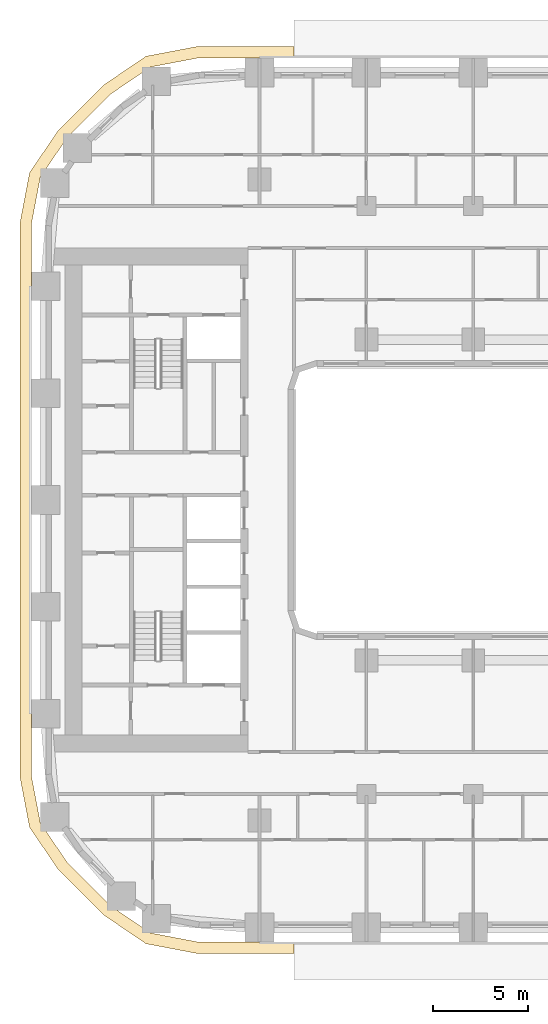
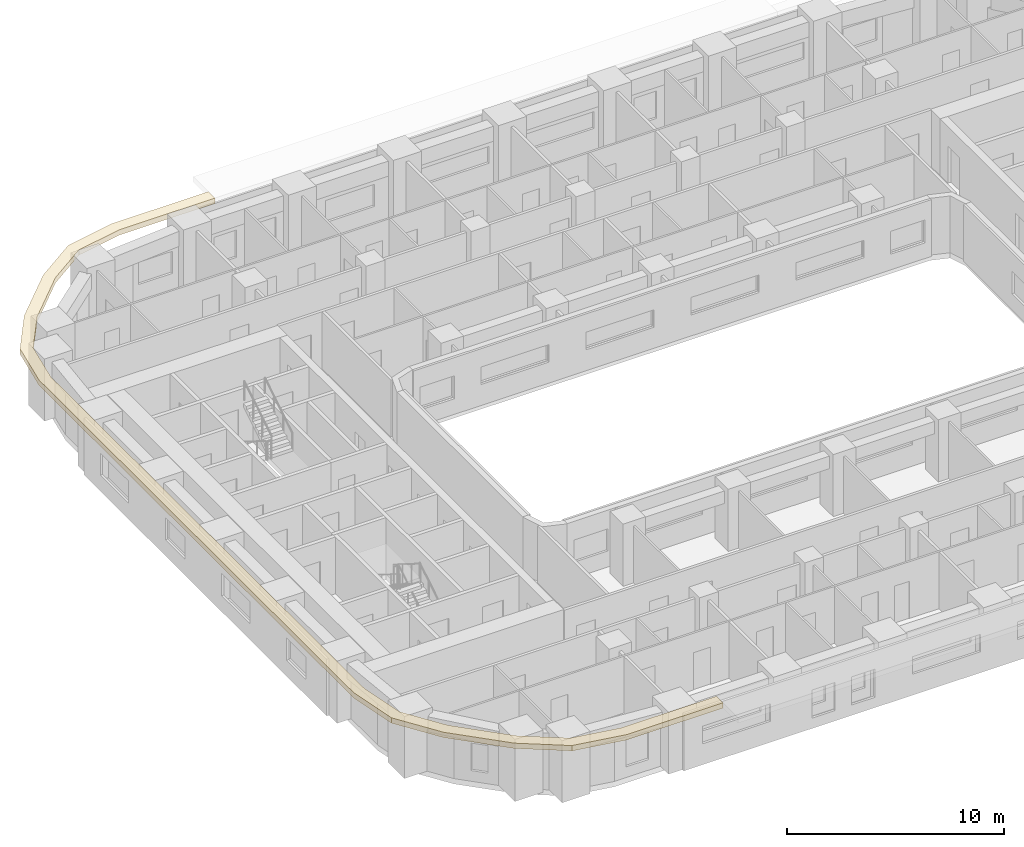
# One storey, part 14 of 21: 1 covering.
"""IFC4 building model written with IfcOpenShell, lengths in metres."""

from ifc_helpers import new_model, si_unit, direction, frame, origin, place, context, subcontext, project, spatial, polyline, outline, extrude, material, layer, layer_set, type_object, element, save


model = new_model("IFC4")

# Units and contexts
model_context = context("Model", 3, precision=1e-05, world=origin(), true_north=direction((0.0, 1.0)))
body_context = subcontext(model_context, "Body", "Model", "MODEL_VIEW")
ifc_project = project(units=[si_unit("LENGTHUNIT", "METRE"), si_unit("AREAUNIT", "SQUARE_METRE"), si_unit("VOLUMEUNIT", "CUBIC_METRE"), si_unit("PLANEANGLEUNIT", "RADIAN"), si_unit("MASSUNIT", "GRAM", prefix="KILO")], contexts=[model_context])

# Site, building, storey
site_placement = place(None, origin())
site = spatial("IfcSite", under=ifc_project, at=site_placement, CompositionType="ELEMENT")
building_placement = place(site_placement, origin())
building = spatial("IfcBuilding", under=site, at=building_placement, Name="Kiln Ring Residences", CompositionType="ELEMENT")
storey_placement = place(building_placement, frame((0.0, 0.0, 48.0)))
storey = spatial("IfcBuildingStorey", under=building, at=storey_placement, Name="L11", CompositionType="ELEMENT", Elevation=48.0)

# Covering
ifc_material = material(Name="Black powder-coated steel", Category="steel")
ifc_layer = layer(ifc_material, 0.300048828125)
ifc_layer_set = layer_set([ifc_layer], Name="SUNSHADE FIN 600")
covering_type = type_object("IfcCoveringType", Name="SUNSHADE FIN 600", PredefinedType="CLADDING", material=ifc_layer_set)
covering_placement = place(storey_placement, frame((0.0, 0.0, 3.199951171875)))
element("IfcCovering", 1, at=covering_placement, inside=storey, type_object=covering_type, Name="SUNSHADE FIN L11", PredefinedType="CLADDING", context=body_context, shape_type="SweptSolid", body=[
    extrude(outline(polyline([(-29.35009765625, -14.527587890625), (-28.849365234375, -17.15185546875), (-27.347900390625, -19.361328125), (-24.96142578125, -21.747802734375), (-22.751953125, -23.24951171875), (-20.127685546875, -23.75), (-15.0, -23.75), (-15.0, -23.14990234375), (-20.07080078125, -23.14990234375), (-22.517333984375, -22.683349609375), (-24.577392578125, -21.283447265625), (-26.88330078125, -18.977294921875), (-28.283447265625, -16.91748046875), (-28.75, -14.470947265625), (-28.75, 14.470947265625), (-28.283447265625, 16.91748046875), (-26.88330078125, 18.977294921875), (-24.577392578125, 21.283447265625), (-22.517333984375, 22.683349609375), (-20.07080078125, 23.14990234375), (-15.0, 23.14990234375), (-15.0, 23.75), (-20.127685546875, 23.75), (-22.751953125, 23.24951171875), (-24.96142578125, 21.747802734375), (-27.347900390625, 19.361328125), (-28.849365234375, 17.15185546875), (-29.35009765625, 14.527587890625), (-29.35009765625, -14.527587890625)])), origin(), (0.0, 0.0, 1.0), 0.300048828125),
])

save(model, "model.ifc")
